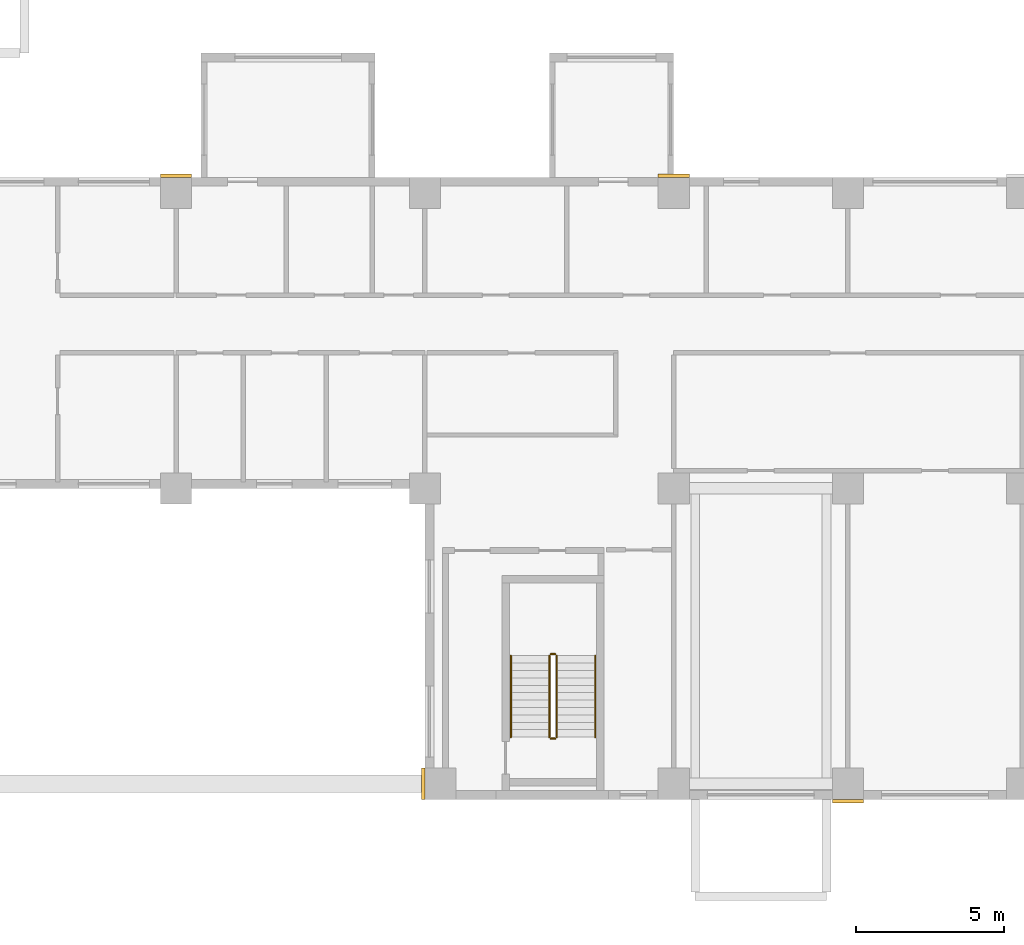
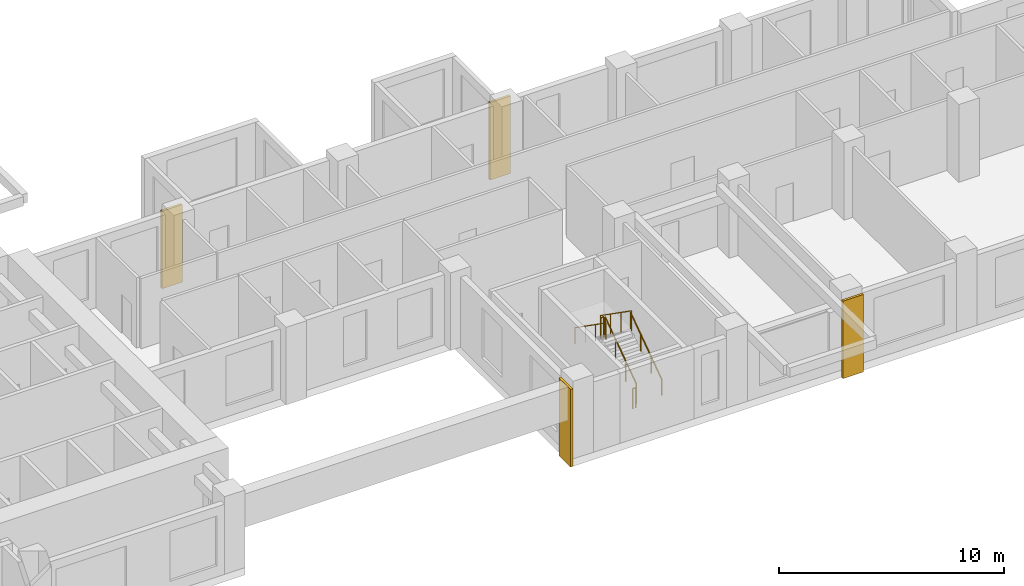
# One storey, part 11 of 14: 6 railings, 4 coverings.
"""IFC4 building model written with IfcOpenShell, lengths in metres."""

from ifc_helpers import new_model, si_unit, direction, frame, origin, origin_2d, place, context, subcontext, project, spatial, rectangle, circle, extrude, source, transform, mapped, material, type_object, element, save


model = new_model("IFC4")

# Units and contexts
model_context = context("Model", 3, precision=1e-05, world=origin(), true_north=direction((0.0, 1.0)))
body_context = subcontext(model_context, "Body", "Model", "MODEL_VIEW")
ifc_project = project(units=[si_unit("LENGTHUNIT", "METRE"), si_unit("AREAUNIT", "SQUARE_METRE"), si_unit("VOLUMEUNIT", "CUBIC_METRE"), si_unit("PLANEANGLEUNIT", "RADIAN"), si_unit("MASSUNIT", "GRAM", prefix="KILO")], contexts=[model_context])

# Site, building, storey
site_placement = place(None, origin())
site = spatial("IfcSite", under=ifc_project, at=site_placement, CompositionType="ELEMENT")
building_placement = place(site_placement, origin())
building = spatial("IfcBuilding", under=site, at=building_placement, Name="Aurelian Terraces", CompositionType="ELEMENT")
storey_placement = place(building_placement, frame((0.0, 0.0, 103.5)))
storey = spatial("IfcBuildingStorey", under=building, at=storey_placement, Name="L22", CompositionType="ELEMENT", Elevation=103.5)

# Coverings
ifc_material_1 = material(Name="Terracotta rainscreen cladding relief", Category="masonry")
covering_type = type_object("IfcCoveringType", Name="BAGUETTE-TC", PredefinedType="CLADDING", material=ifc_material_1)
covering_placement = place(storey_placement, frame((37.74, 0.525, -0.4), z_axis=(0.0, 0.0, 1.0), x_axis=(1.0, 0.0, 0.0)))
element("IfcCovering", 1, at=covering_placement, inside=storey, type_object=covering_type, Name="BAGUETTE pier L22 2", PredefinedType="CLADDING", context=body_context, shape_type="SweptSolid", body=[
    extrude(rectangle(XDim=0.12, YDim=1.05, at=origin_2d()), origin(), (0.0, 0.0, 1.0), 4.2),
])
shared_shape_1 = source(origin(), body_context, "Body", "SweptSolid", [
    extrude(rectangle(XDim=1.05, YDim=0.12, at=origin_2d()), origin(), (0.0, 0.0, 1.0), 4.2),
])
for number, where, z_axis, x_axis, name in (
    (2, (52.08, -0.06, -0.4), (0.0, 0.0, 1.0), (1.0, 0.0, 0.0), "BAGUETTE pier L22 3"),
    (3, (29.4, 21.06, -0.4), (0.0, 0.0, 1.0), (1.0, 0.0, 0.0), "BAGUETTE pier L22 5"),
    (4, (46.2, 21.06, -0.4), (0.0, 0.0, 1.0), (1.0, 0.0, 0.0), "BAGUETTE pier L22 6"),
):
    element("IfcCovering", number, at=place(storey_placement, frame(where, z_axis=z_axis, x_axis=x_axis)), inside=storey, type_object=covering_type, Name=name, PredefinedType="CLADDING", context=body_context, shape_type="MappedRepresentation", body=[
        mapped(shared_shape_1, transform((0.0, 0.0, 0.0), scale=1.0)),
    ])

# Railings
ifc_material_2 = material(Name="Stainless steel", Category="steel")
railing_type_1 = type_object("IfcRailingType", Name="Stair guard 1100", PredefinedType="GUARDRAIL", material=ifc_material_2)
shared_shape_2 = source(origin(), body_context, "Body", "SweptSolid", [
    extrude(circle(Radius=0.024, at=origin_2d()), frame((0.0, 0.0, 1.076), z_axis=(-1.0, 0.0, 0.0), x_axis=(0.0, -1.0, 0.0)), (0.0, 0.0, 1.0), 0.15),
    extrude(circle(Radius=0.021, at=origin_2d()), origin(), (0.0, 0.0, 1.0), 1.052),
    extrude(circle(Radius=0.021, at=origin_2d()), frame((-0.15, 0.0, 0.0)), (0.0, 0.0, 1.0), 1.052),
])
for number, where, name in (
    (5, (42.2, 4.9, 2.1), "L22 S2 stair guard 2"),
    (6, (42.2, 2.05, 0.0), "L22 S2 stair guard 4"),
):
    element("IfcRailing", number, at=place(storey_placement, frame(where)), inside=storey, type_object=railing_type_1, Name=name, PredefinedType="GUARDRAIL", context=body_context, shape_type="MappedRepresentation", body=[
        mapped(shared_shape_2, transform((0.0, 0.0, 0.0), scale=1.0)),
    ])
shared_shape_3 = source(origin(), body_context, "Body", "SweptSolid", [
    extrude(circle(Radius=0.024, at=origin_2d()), frame((0.0, 0.0, 1.076), z_axis=(0.0, 0.819231920519, 0.573462344363), x_axis=(-1.0, 0.0, 0.0)), (0.0, 0.0, 1.0), 3.3568),
    extrude(circle(Radius=0.021, at=origin_2d()), origin(), (0.0, 0.0, 1.0), 1.052),
    extrude(circle(Radius=0.021, at=origin_2d()), frame((0.0, 0.9167, 0.6417)), (0.0, 0.0, 1.0), 1.052),
    extrude(circle(Radius=0.021, at=origin_2d()), frame((0.0, 1.8333, 1.2833)), (0.0, 0.0, 1.0), 1.052),
    extrude(circle(Radius=0.021, at=origin_2d()), frame((0.0, 2.75, 1.925)), (0.0, 0.0, 1.0), 1.052),
])
railing_1_placement = place(storey_placement, frame((42.25, 2.1, 0.175)))
element("IfcRailing", 7, at=railing_1_placement, inside=storey, type_object=railing_type_1, Name="L22 S2 stair guard 1", PredefinedType="GUARDRAIL", context=body_context, shape_type="MappedRepresentation", body=[
    mapped(shared_shape_3, transform((0.0, 0.0, 0.0), scale=1.0)),
])
shared_shape_4 = source(origin(), body_context, "Body", "SweptSolid", [
    extrude(circle(Radius=0.024, at=origin_2d()), frame((0.0, 0.0, 1.076), z_axis=(0.0, -0.819231920519, 0.573462344363), x_axis=(1.0, 0.0, 0.0)), (0.0, 0.0, 1.0), 3.3568),
    extrude(circle(Radius=0.021, at=origin_2d()), origin(), (0.0, 0.0, 1.0), 1.052),
    extrude(circle(Radius=0.021, at=origin_2d()), frame((0.0, -0.9167, 0.6417)), (0.0, 0.0, 1.0), 1.052),
    extrude(circle(Radius=0.021, at=origin_2d()), frame((0.0, -1.8333, 1.2833)), (0.0, 0.0, 1.0), 1.052),
    extrude(circle(Radius=0.021, at=origin_2d()), frame((0.0, -2.75, 1.925)), (0.0, 0.0, 1.0), 1.052),
])
railing_2_placement = place(storey_placement, frame((42.0, 4.85, 2.275)))
element("IfcRailing", 8, at=railing_2_placement, inside=storey, type_object=railing_type_1, Name="L22 S2 stair guard 3", PredefinedType="GUARDRAIL", context=body_context, shape_type="MappedRepresentation", body=[
    mapped(shared_shape_4, transform((0.0, 0.0, 0.0), scale=1.0)),
])
railing_type_2 = type_object("IfcRailingType", Name="Stair handrail", PredefinedType="HANDRAIL", material=ifc_material_2)
shared_shape_5 = source(origin(), body_context, "Body", "SweptSolid", [
    extrude(circle(Radius=0.024, at=origin_2d()), frame((0.0, 0.0, 0.876), z_axis=(0.0, 0.819231920519, 0.573462344363), x_axis=(-1.0, 0.0, 0.0)), (0.0, 0.0, 1.0), 3.3568),
    extrude(circle(Radius=0.021, at=origin_2d()), origin(), (0.0, 0.0, 1.0), 0.852),
    extrude(circle(Radius=0.021, at=origin_2d()), frame((0.0, 0.9167, 0.6417)), (0.0, 0.0, 1.0), 0.852),
    extrude(circle(Radius=0.021, at=origin_2d()), frame((0.0, 1.8333, 1.2833)), (0.0, 0.0, 1.0), 0.852),
    extrude(circle(Radius=0.021, at=origin_2d()), frame((0.0, 2.75, 1.925)), (0.0, 0.0, 1.0), 0.852),
])
railing_3_placement = place(storey_placement, frame((43.55, 2.1, 0.175)))
element("IfcRailing", 9, at=railing_3_placement, inside=storey, type_object=railing_type_2, Name="L22 S2 stair handrail 1", PredefinedType="HANDRAIL", context=body_context, shape_type="MappedRepresentation", body=[
    mapped(shared_shape_5, transform((0.0, 0.0, 0.0), scale=1.0)),
])
shared_shape_6 = source(origin(), body_context, "Body", "SweptSolid", [
    extrude(circle(Radius=0.024, at=origin_2d()), frame((0.0, 0.0, 0.876), z_axis=(0.0, -0.819231920519, 0.573462344363), x_axis=(1.0, 0.0, 0.0)), (0.0, 0.0, 1.0), 3.3568),
    extrude(circle(Radius=0.021, at=origin_2d()), origin(), (0.0, 0.0, 1.0), 0.852),
    extrude(circle(Radius=0.021, at=origin_2d()), frame((0.0, -0.9167, 0.6417)), (0.0, 0.0, 1.0), 0.852),
    extrude(circle(Radius=0.021, at=origin_2d()), frame((0.0, -1.8333, 1.2833)), (0.0, 0.0, 1.0), 0.852),
    extrude(circle(Radius=0.021, at=origin_2d()), frame((0.0, -2.75, 1.925)), (0.0, 0.0, 1.0), 0.852),
])
railing_4_placement = place(storey_placement, frame((40.7, 4.85, 2.275)))
element("IfcRailing", 10, at=railing_4_placement, inside=storey, type_object=railing_type_2, Name="L22 S2 stair handrail 2", PredefinedType="HANDRAIL", context=body_context, shape_type="MappedRepresentation", body=[
    mapped(shared_shape_6, transform((0.0, 0.0, 0.0), scale=1.0)),
])

save(model, "model.ifc")
